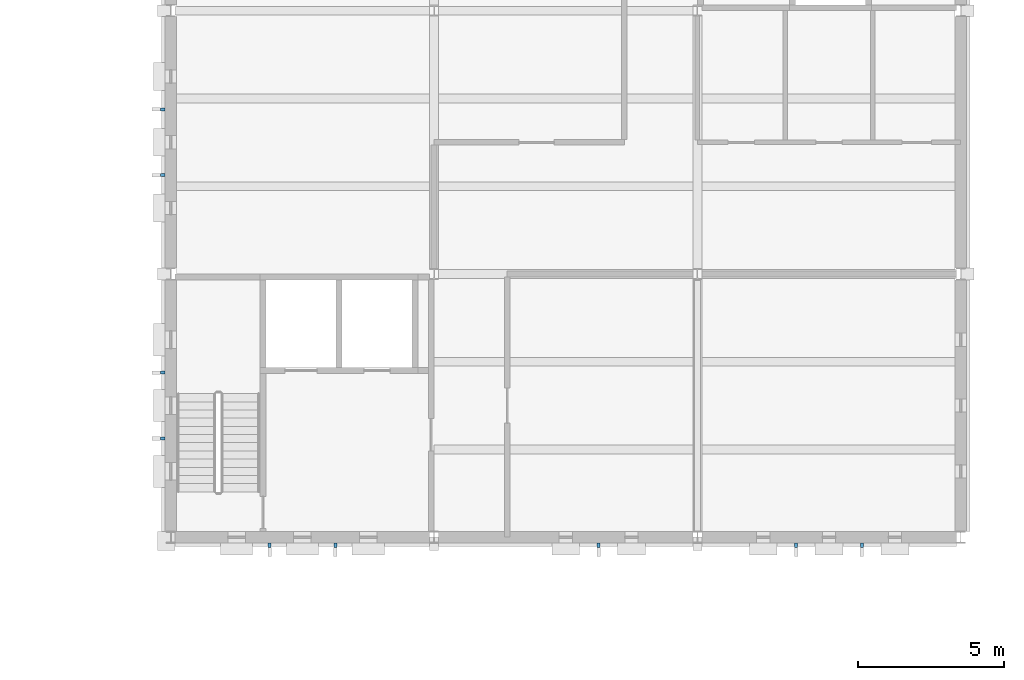
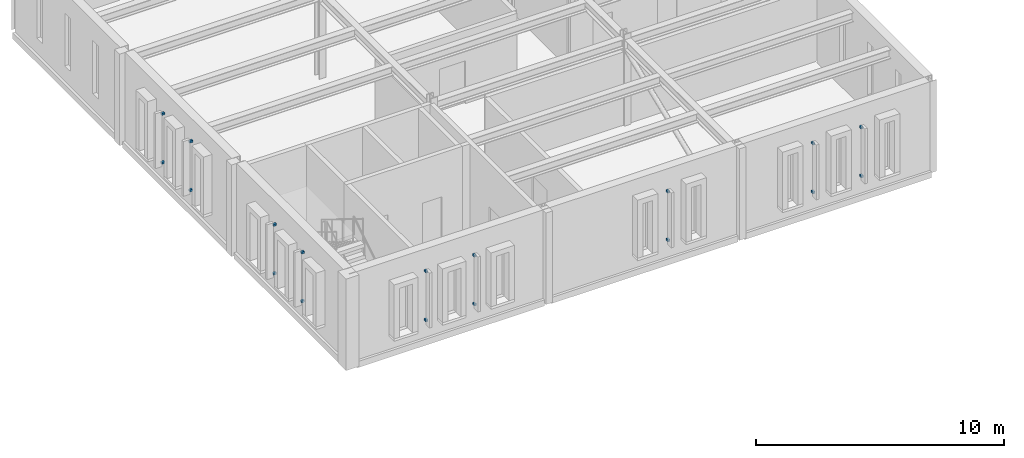
# One storey, part 83 of 111: 18 discrete accessories.
"""IFC4 building model written with IfcOpenShell, lengths in metres."""

import ifcopenshell
import ifcopenshell.guid

model = None  # the IFC model being written
_history = None  # IfcOwnerHistory: only IFC2X3 demands one
_inside = {}  # id of a spatial element -> (the spatial element, [elements in it])
_under = {}  # id of a project, library or spatial element -> (it, [spatial elements below it])
_declared = {}  # id of a project -> (the project, [libraries it declares])
_typed = {}  # id of a type object -> (the type object, [elements of that type])
_made_of = {}  # id of a material, layer set ... -> (it, [elements and type objects made of it])


def new_model(schema):
    """Start an empty IFC model of exactly this schema.

    Asked for "IFC4X3", IfcOpenShell would pick the latest addendum, in which some entities
    have other attributes; the version numbers below select the first issue.
    IFC2X3 requires an IfcOwnerHistory on every rooted entity: one is made here for all.
    """
    global model, _history
    if schema == "IFC4X3":
        model = ifcopenshell.file(schema_version=(4, 3, 0, 0))
    else:
        model = ifcopenshell.file(schema=schema)
    _inside.clear()
    _under.clear()
    _declared.clear()
    _typed.clear()
    _made_of.clear()
    _history = None
    if model.schema == "IFC2X3":
        org = make("IfcOrganization", Name="unknown")
        user = make(
            "IfcPersonAndOrganization",
            ThePerson=make("IfcPerson", FamilyName="unknown"),
            TheOrganization=org,
        )
        app = make(
            "IfcApplication",
            ApplicationDeveloper=org,
            Version="unknown",
            ApplicationFullName="unknown",
            ApplicationIdentifier="unknown",
        )
        _history = make(
            "IfcOwnerHistory",
            OwningUser=user,
            OwningApplication=app,
            ChangeAction="ADDED",
            CreationDate=0,
        )
    return model


def make(cls, **values):
    """One entity of the class cls with the attributes given. An attribute that is None is left unset."""
    return model.create_entity(
        cls, **{name: value for name, value in values.items() if value is not None}
    )


def rooted(cls, **values):
    """An entity with a GlobalId (a new one), such as an element, a storey or a relation."""
    return make(cls, GlobalId=ifcopenshell.guid.new(), OwnerHistory=_history, **values)


def si_unit(unit_type, name, prefix=None):
    """IfcSIUnit, for example si_unit("LENGTHUNIT", "METRE", prefix="MILLI")."""
    return make("IfcSIUnit", UnitType=unit_type, Prefix=prefix, Name=name)


def assignment(units):
    """IfcUnitAssignment: the units of a project."""
    return None if units is None else make("IfcUnitAssignment", Units=units)


def point(xyz):
    """IfcCartesianPoint."""
    return None if xyz is None else make("IfcCartesianPoint", Coordinates=xyz)


def direction(xyz):
    """IfcDirection."""
    return None if xyz is None else make("IfcDirection", DirectionRatios=xyz)


def frame(location, z_axis=None, x_axis=None):
    """IfcAxis2Placement3D, a coordinate frame: its origin and axes. An axis left out is left unset."""
    return make(
        "IfcAxis2Placement3D",
        Location=point(location),
        Axis=direction(z_axis),
        RefDirection=direction(x_axis),
    )


def frame_2d(location, x_axis=None):
    """IfcAxis2Placement2D, a coordinate frame in the plane: its origin and x axis."""
    return make(
        "IfcAxis2Placement2D", Location=point(location), RefDirection=direction(x_axis)
    )


def origin():
    """The frame at (0, 0, 0) with its axes left unset."""
    return frame((0.0, 0.0, 0.0))


def origin_2d():
    """The frame at (0, 0) in the plane with its x axis left unset."""
    return frame_2d((0.0, 0.0))


def place(relative_to, where):
    """IfcLocalPlacement: puts the frame where relative to a parent placement (None: the world)."""
    return make(
        "IfcLocalPlacement", PlacementRelTo=relative_to, RelativePlacement=where
    )


def context(
    kind, dimensions, precision=None, world=None, true_north=None, identifier=None
):
    """IfcGeometricRepresentationContext, for example the 3D "Model" context."""
    return make(
        "IfcGeometricRepresentationContext",
        ContextIdentifier=identifier,
        ContextType=kind,
        CoordinateSpaceDimension=dimensions,
        Precision=precision,
        WorldCoordinateSystem=world,
        TrueNorth=true_north,
    )


def subcontext(parent, identifier, kind, view, scale=None):
    """IfcGeometricRepresentationSubContext, for example "Body" below "Model"."""
    return make(
        "IfcGeometricRepresentationSubContext",
        ContextIdentifier=identifier,
        ContextType=kind,
        ParentContext=parent,
        TargetScale=scale,
        TargetView=view,
    )


def project(units=None, contexts=None):
    """IfcProject with its units and contexts."""
    return rooted(
        "IfcProject",
        Name="project",
        RepresentationContexts=contexts,
        UnitsInContext=assignment(units),
    )


def spatial(cls, under=None, at=None, **own):
    """A site, building, storey or space (cls), placed at a placement, below another one or the project."""
    s = rooted(cls, ObjectPlacement=at, **own)
    if under is not None:
        _under.setdefault(under.id(), (under, []))[1].append(s)
    return s


def profile(cls, at=None, kind="AREA", **sizes):
    """A parametric profile (cls). Its sizes go by their IFC names, for example OverallWidth=200.0."""
    return make(cls, ProfileType=kind, Position=at, **sizes)


def rectangle(**sizes):
    """IfcRectangleProfileDef."""
    return profile("IfcRectangleProfileDef", **sizes)


def extrude(swept, where, along, depth):
    """IfcExtrudedAreaSolid: the profile swept, set in the frame where, extruded along a direction by depth."""
    return make(
        "IfcExtrudedAreaSolid",
        SweptArea=swept,
        Position=where,
        ExtrudedDirection=direction(along),
        Depth=depth,
    )


def shape(context_of_items, identifier, shape_type, items):
    """IfcShapeRepresentation: the items that make up one representation, for example the "Body"."""
    return make(
        "IfcShapeRepresentation",
        ContextOfItems=context_of_items,
        RepresentationIdentifier=identifier,
        RepresentationType=shape_type,
        Items=items,
    )


def material(Name=None, Category=None):
    """IfcMaterial."""
    return make("IfcMaterial", Name=Name, Category=Category)


def made_of(thing, what):
    """Note that an element or type object is made of a material, layer set ...; save() writes the relation."""
    if what is not None:
        _made_of.setdefault(what.id(), (what, []))[1].append(thing)
    return thing


def type_object(cls, material=None, **own):
    """A type object (cls), such as IfcWallType, which elements share."""
    return made_of(rooted(cls, **own), material)


def element(
    cls,
    number,
    at=None,
    inside=None,
    cuts=None,
    type_object=None,
    material=None,
    context=None,
    identifier="Body",
    shape_type=None,
    held_by="IfcProductDefinitionShape",
    body=None,
    shapes=None,
    **own,
):
    """One element of the class cls, such as IfcWall. Its Tag is "e" and its number.

    at: its placement. inside: the storey or other place that contains it. cuts: it is an
    opening in that element (IfcRelVoidsElement). A single representation is given by context,
    identifier, shape_type and body (its items); several are given by shapes. held_by: the class
    of the entity that holds the representations. save() writes the other relations.
    """
    e = rooted(cls, Tag="e%d" % number, ObjectPlacement=at, **own)
    if body is not None:
        shapes = [shape(context, identifier, shape_type, body)]
    if shapes is not None:
        e.Representation = make(held_by, Representations=shapes)
    if inside is not None:
        _inside.setdefault(inside.id(), (inside, []))[1].append(e)
    if cuts is not None:
        rooted(
            "IfcRelVoidsElement", RelatingBuildingElement=cuts, RelatedOpeningElement=e
        )
    if type_object is not None:
        _typed.setdefault(type_object.id(), (type_object, []))[1].append(e)
    return made_of(e, material)


def aggregate(whole, parts):
    """IfcRelAggregates: a whole, such as a stair, and the parts it consists of."""
    return rooted("IfcRelAggregates", RelatingObject=whole, RelatedObjects=parts)


def save(model, path):
    """Write the relations noted so far, then the file.

    IfcRelAggregates (storeys below a building ...), IfcRelContainedInSpatialStructure (elements
    in a storey), IfcRelDefinesByType, IfcRelAssociatesMaterial and IfcRelDeclares: one each for
    every whole, place, type object, material and project.
    """
    for whole, parts in _under.values():
        aggregate(whole, parts)
    for where, things in _inside.values():
        rooted(
            "IfcRelContainedInSpatialStructure",
            RelatedElements=things,
            RelatingStructure=where,
        )
    for kind, things in _typed.values():
        rooted("IfcRelDefinesByType", RelatedObjects=things, RelatingType=kind)
    for what, things in _made_of.values():
        rooted("IfcRelAssociatesMaterial", RelatedObjects=things, RelatingMaterial=what)
    for by, libraries in _declared.values():
        rooted("IfcRelDeclares", RelatingContext=by, RelatedDefinitions=libraries)
    model.write(path)


model = new_model("IFC4")

# Units and contexts
model_context = context("Model", 3, precision=1e-05, world=origin(), true_north=direction((0.0, 1.0)))
body_context = subcontext(model_context, "Body", "Model", "MODEL_VIEW")
ifc_project = project(units=[si_unit("LENGTHUNIT", "METRE"), si_unit("AREAUNIT", "SQUARE_METRE"), si_unit("VOLUMEUNIT", "CUBIC_METRE"), si_unit("PLANEANGLEUNIT", "RADIAN"), si_unit("MASSUNIT", "GRAM", prefix="KILO")], contexts=[model_context])

# Site, building, storey
site_placement = place(None, origin())
site = spatial("IfcSite", under=ifc_project, at=site_placement, CompositionType="ELEMENT")
building_placement = place(site_placement, origin())
building = spatial("IfcBuilding", under=site, at=building_placement, Name="Kallimachos Central Library", CompositionType="ELEMENT")
storey_placement = place(building_placement, frame((0.0, 0.0, 14.39990234375)))
storey = spatial("IfcBuildingStorey", under=building, at=storey_placement, Name="L03", CompositionType="ELEMENT", Elevation=14.39990234375)

# Discrete accessories
ifc_material = material(Name="Stainless steel", Category="steel")
discrete_accessory_type = type_object("IfcDiscreteAccessoryType", Name="Fin bracket", PredefinedType="BRACKET", material=ifc_material)
for number, where, z_axis, x_axis, name in (
    (1, (77.875, 17.72509765625, 1.0), (0.0, 0.0, 1.0), (1.0, 0.0, 0.0), "Fin bracket -L03-010"),
    (2, (77.875, 17.72509765625, 3.400146484375), (0.0, 0.0, 1.0), (1.0, 0.0, 0.0), "Fin bracket -L03-010"),
    (3, (80.125, 17.72509765625, 1.0), (0.0, 0.0, 1.0), (1.0, 0.0, 0.0), "Fin bracket -L03-010"),
    (4, (80.125, 17.72509765625, 3.400146484375), (0.0, 0.0, 1.0), (1.0, 0.0, 0.0), "Fin bracket -L03-010"),
    (5, (89.125, 17.72509765625, 1.0), (0.0, 0.0, 1.0), (1.0, 0.0, 0.0), "Fin bracket -L03-011"),
    (6, (89.125, 17.72509765625, 3.400146484375), (0.0, 0.0, 1.0), (1.0, 0.0, 0.0), "Fin bracket -L03-011"),
    (7, (95.875, 17.72509765625, 1.0), (0.0, 0.0, 1.0), (1.0, 0.0, 0.0), "Fin bracket -L03-012"),
    (8, (95.875, 17.72509765625, 3.400146484375), (0.0, 0.0, 1.0), (1.0, 0.0, 0.0), "Fin bracket -L03-012"),
    (9, (98.125, 17.72509765625, 1.0), (0.0, 0.0, 1.0), (1.0, 0.0, 0.0), "Fin bracket -L03-012"),
    (10, (98.125, 17.72509765625, 3.400146484375), (0.0, 0.0, 1.0), (1.0, 0.0, 0.0), "Fin bracket -L03-012"),
):
    element("IfcDiscreteAccessory", number, at=place(storey_placement, frame(where, z_axis=z_axis, x_axis=x_axis)), inside=storey, type_object=discrete_accessory_type, Name=name, PredefinedType="BRACKET", context=body_context, shape_type="SweptSolid", body=[
        extrude(rectangle(XDim=0.10009765625, YDim=0.14990234375, at=origin_2d()), origin(), (0.0, 0.0, 1.0), 0.10009765625),
    ])
for number, where, z_axis, x_axis, name in (
    (11, (74.22509765625, 21.375, 1.0), (0.0, 0.0, 1.0), (1.0, 0.0, 0.0), "Fin bracket -L03-016"),
    (12, (74.22509765625, 21.375, 3.400146484375), (0.0, 0.0, 1.0), (1.0, 0.0, 0.0), "Fin bracket -L03-016"),
    (13, (74.22509765625, 23.625, 1.0), (0.0, 0.0, 1.0), (1.0, 0.0, 0.0), "Fin bracket -L03-016"),
    (14, (74.22509765625, 23.625, 3.400146484375), (0.0, 0.0, 1.0), (1.0, 0.0, 0.0), "Fin bracket -L03-016"),
    (15, (74.22509765625, 30.375, 1.0), (0.0, 0.0, 1.0), (1.0, 0.0, 0.0), "Fin bracket -L03-017"),
    (16, (74.22509765625, 30.375, 3.400146484375), (0.0, 0.0, 1.0), (1.0, 0.0, 0.0), "Fin bracket -L03-017"),
    (17, (74.22509765625, 32.625, 1.0), (0.0, 0.0, 1.0), (1.0, 0.0, 0.0), "Fin bracket -L03-017"),
    (18, (74.22509765625, 32.625, 3.400146484375), (0.0, 0.0, 1.0), (1.0, 0.0, 0.0), "Fin bracket -L03-017"),
):
    element("IfcDiscreteAccessory", number, at=place(storey_placement, frame(where, z_axis=z_axis, x_axis=x_axis)), inside=storey, type_object=discrete_accessory_type, Name=name, PredefinedType="BRACKET", context=body_context, shape_type="SweptSolid", body=[
        extrude(rectangle(XDim=0.14990234375, YDim=0.10009765625, at=origin_2d()), origin(), (0.0, 0.0, 1.0), 0.10009765625),
    ])

save(model, "model.ifc")
